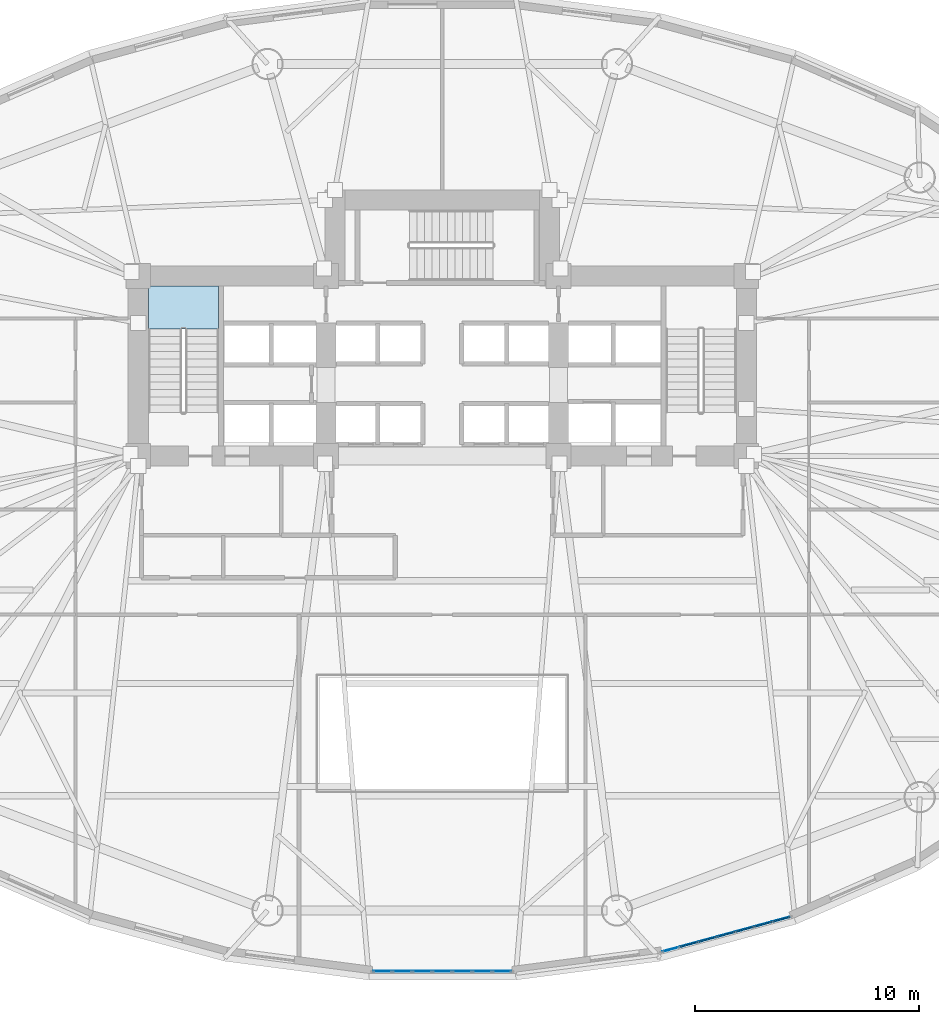
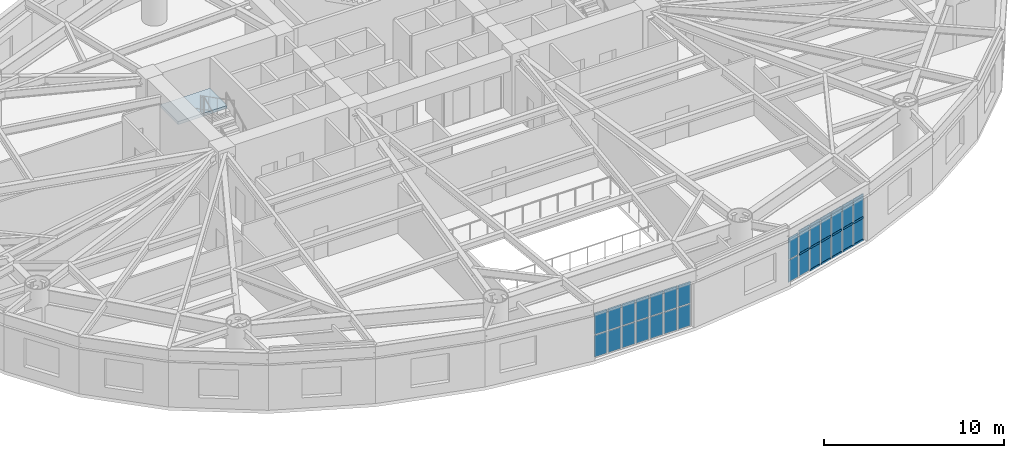
# One storey, part 7 of 19: 28 plates, 17 members, 1 slab, 3 elements without a shape of their own.
"""IFC4 building model written with IfcOpenShell, lengths in metres."""

from ifc_helpers import new_model, si_unit, direction, frame, origin, origin_2d, place, context, subcontext, project, spatial, polyline, rectangle, outline, extrude, material, layer, layer_set, material_profile, profile_set, type_object, element, aggregate, save


model = new_model("IFC4")

# Units and contexts
model_context = context("Model", 3, precision=1e-05, world=origin(), true_north=direction((0.0, 1.0)))
body_context = subcontext(model_context, "Body", "Model", "MODEL_VIEW")
ifc_project = project(units=[si_unit("LENGTHUNIT", "METRE"), si_unit("AREAUNIT", "SQUARE_METRE"), si_unit("VOLUMEUNIT", "CUBIC_METRE"), si_unit("PLANEANGLEUNIT", "RADIAN"), si_unit("MASSUNIT", "GRAM", prefix="KILO")], contexts=[model_context])

# Site, building, storey
site_placement = place(None, origin())
site = spatial("IfcSite", under=ifc_project, at=site_placement, CompositionType="ELEMENT")
building_placement = place(site_placement, origin())
building = spatial("IfcBuilding", under=site, at=building_placement, Name="Keldmark Tower", CompositionType="ELEMENT")
storey_placement = place(building_placement, frame((0.0, 0.0, 10.199951171875)))
storey = spatial("IfcBuildingStorey", under=building, at=storey_placement, Name="L02", CompositionType="ELEMENT", Elevation=10.199951171875)

# Curtain wall, members
ifc_material_1 = material(Name="Unitized Thermally Broken Aluminum and Triple Low-E Glazing", Category="aluminium")
ifc_layer_1 = layer(ifc_material_1, 0.219970703125)
ifc_layer_set_1 = layer_set([ifc_layer_1], Name="Unitized Thermally Broken Aluminum and Triple Low-E Glazing")
curtain_wall_type = type_object("IfcCurtainWallType", Name="Podium Wintergarden Curtain Wall System", PredefinedType="NOTDEFINED", material=ifc_layer_set_1)
curtain_wall_1_placement = place(storey_placement, origin())
curtain_wall_1 = element("IfcCurtainWall", 1, at=curtain_wall_1_placement, inside=storey, type_object=curtain_wall_type, Name="L02 Podium Wintergarden Curtain Wall System CW-L02-26", PredefinedType="NOTDEFINED")
ifc_material_2 = material(Name="Extruded Aluminum Alloy 6063-T6", Category="aluminium")
ifc_material_profile = material_profile(ifc_material_2, rectangle(XDim=0.06005859375, YDim=0.139892578125, at=origin_2d()), Name="CWT60X140")
ifc_profile_set = profile_set([ifc_material_profile], Name="Extruded Aluminum Alloy 6063-T6")
member_type = type_object("IfcMemberType", Name="Curtain Wall Horizontal Transom 60x140", PredefinedType="USERDEFINED", material=ifc_profile_set)
member_1_placement = place(storey_placement, frame((15.535888671875, -19.22314453125, 0.030029296875), z_axis=(-0.964946893051, -0.262445220171, 0.0), x_axis=(0.262445220171, -0.964946893051, 0.0)))
member_1 = element("IfcMember", 2, at=member_1_placement, type_object=member_type, Name="CW transom 1.1", ObjectType="TRANSOM", PredefinedType="USERDEFINED", context=body_context, shape_type="SweptSolid", body=[
    extrude(rectangle(XDim=0.06005859375, YDim=0.139892578125, at=origin_2d()), origin(), (0.0, 0.0, 1.0), 0.768310546875),
])
member_2_placement = place(storey_placement, frame((15.535888671875, -19.22314453125, 1.554443359375), z_axis=(-0.964946893051, -0.262445220171, 0.0), x_axis=(0.262445220171, -0.964946893051, 0.0)))
member_2 = element("IfcMember", 3, at=member_2_placement, type_object=member_type, Name="CW transom 1.2", ObjectType="TRANSOM", PredefinedType="USERDEFINED", context=body_context, shape_type="SweptSolid", body=[
    extrude(rectangle(XDim=0.06005859375, YDim=0.139892578125, at=origin_2d()), origin(), (0.0, 0.0, 1.0), 0.768310546875),
])
member_3_placement = place(storey_placement, frame((15.535888671875, -19.22314453125, 3.0791015625), z_axis=(-0.964946893051, -0.262445220171, 0.0), x_axis=(0.262445220171, -0.964946893051, 0.0)))
member_3 = element("IfcMember", 4, at=member_3_placement, type_object=member_type, Name="CW transom 1.3", ObjectType="TRANSOM", PredefinedType="USERDEFINED", context=body_context, shape_type="SweptSolid", body=[
    extrude(rectangle(XDim=0.06005859375, YDim=0.139892578125, at=origin_2d()), origin(), (0.0, 0.0, 1.0), 0.768310546875),
])
member_4_placement = place(storey_placement, frame((14.736572265625, -19.440673828125, 0.030029296875), z_axis=(-0.964954135758, -0.262418589059, 0.0), x_axis=(0.262418589059, -0.964954135758, 0.0)))
member_4 = element("IfcMember", 5, at=member_4_placement, type_object=member_type, Name="CW transom 2.1", ObjectType="TRANSOM", PredefinedType="USERDEFINED", context=body_context, shape_type="SweptSolid", body=[
    extrude(rectangle(XDim=0.06005859375, YDim=0.139892578125, at=origin_2d()), origin(), (0.0, 0.0, 1.0), 0.79833984375),
])
member_5_placement = place(storey_placement, frame((14.736572265625, -19.440673828125, 1.554443359375), z_axis=(-0.964954135758, -0.262418589059, 0.0), x_axis=(0.262418589059, -0.964954135758, 0.0)))
member_5 = element("IfcMember", 6, at=member_5_placement, type_object=member_type, Name="CW transom 2.2", ObjectType="TRANSOM", PredefinedType="USERDEFINED", context=body_context, shape_type="SweptSolid", body=[
    extrude(rectangle(XDim=0.06005859375, YDim=0.139892578125, at=origin_2d()), origin(), (0.0, 0.0, 1.0), 0.79833984375),
])
member_6_placement = place(storey_placement, frame((14.736572265625, -19.440673828125, 3.0791015625), z_axis=(-0.964954135758, -0.262418589059, 0.0), x_axis=(0.262418589059, -0.964954135758, 0.0)))
member_6 = element("IfcMember", 7, at=member_6_placement, type_object=member_type, Name="CW transom 2.3", ObjectType="TRANSOM", PredefinedType="USERDEFINED", context=body_context, shape_type="SweptSolid", body=[
    extrude(rectangle(XDim=0.06005859375, YDim=0.139892578125, at=origin_2d()), origin(), (0.0, 0.0, 1.0), 0.79833984375),
])
member_7_placement = place(storey_placement, frame((13.908447265625, -19.665771484375, 0.030029296875), z_axis=(-0.96487665225, -0.262703342086, 0.0), x_axis=(0.262703342086, -0.96487665225, 0.0)))
member_7 = element("IfcMember", 8, at=member_7_placement, type_object=member_type, Name="CW transom 3.1", ObjectType="TRANSOM", PredefinedType="USERDEFINED", context=body_context, shape_type="SweptSolid", body=[
    extrude(rectangle(XDim=0.06005859375, YDim=0.139892578125, at=origin_2d()), origin(), (0.0, 0.0, 1.0), 0.79833984375),
])
member_8_placement = place(storey_placement, frame((13.908447265625, -19.665771484375, 1.554443359375), z_axis=(-0.96487665225, -0.262703342086, 0.0), x_axis=(0.262703342086, -0.96487665225, 0.0)))
member_8 = element("IfcMember", 9, at=member_8_placement, type_object=member_type, Name="CW transom 3.2", ObjectType="TRANSOM", PredefinedType="USERDEFINED", context=body_context, shape_type="SweptSolid", body=[
    extrude(rectangle(XDim=0.06005859375, YDim=0.139892578125, at=origin_2d()), origin(), (0.0, 0.0, 1.0), 0.79833984375),
])
member_9_placement = place(storey_placement, frame((13.908447265625, -19.665771484375, 3.0791015625), z_axis=(-0.96487665225, -0.262703342086, 0.0), x_axis=(0.262703342086, -0.96487665225, 0.0)))
member_9 = element("IfcMember", 10, at=member_9_placement, type_object=member_type, Name="CW transom 3.3", ObjectType="TRANSOM", PredefinedType="USERDEFINED", context=body_context, shape_type="SweptSolid", body=[
    extrude(rectangle(XDim=0.06005859375, YDim=0.139892578125, at=origin_2d()), origin(), (0.0, 0.0, 1.0), 0.79833984375),
])
member_10_placement = place(storey_placement, frame((13.080322265625, -19.89111328125, 0.030029296875), z_axis=(-0.964954135758, -0.262418589059, 0.0), x_axis=(0.262418589059, -0.964954135758, 0.0)))
member_10 = element("IfcMember", 11, at=member_10_placement, type_object=member_type, Name="CW transom 4.1", ObjectType="TRANSOM", PredefinedType="USERDEFINED", context=body_context, shape_type="SweptSolid", body=[
    extrude(rectangle(XDim=0.06005859375, YDim=0.139892578125, at=origin_2d()), origin(), (0.0, 0.0, 1.0), 0.79833984375),
])
member_11_placement = place(storey_placement, frame((13.080322265625, -19.89111328125, 1.554443359375), z_axis=(-0.964954135758, -0.262418589059, 0.0), x_axis=(0.262418589059, -0.964954135758, 0.0)))
member_11 = element("IfcMember", 12, at=member_11_placement, type_object=member_type, Name="CW transom 4.2", ObjectType="TRANSOM", PredefinedType="USERDEFINED", context=body_context, shape_type="SweptSolid", body=[
    extrude(rectangle(XDim=0.06005859375, YDim=0.139892578125, at=origin_2d()), origin(), (0.0, 0.0, 1.0), 0.79833984375),
])
member_12_placement = place(storey_placement, frame((13.080322265625, -19.89111328125, 3.0791015625), z_axis=(-0.964954135758, -0.262418589059, 0.0), x_axis=(0.262418589059, -0.964954135758, 0.0)))
member_12 = element("IfcMember", 13, at=member_12_placement, type_object=member_type, Name="CW transom 4.3", ObjectType="TRANSOM", PredefinedType="USERDEFINED", context=body_context, shape_type="SweptSolid", body=[
    extrude(rectangle(XDim=0.06005859375, YDim=0.139892578125, at=origin_2d()), origin(), (0.0, 0.0, 1.0), 0.79833984375),
])
member_13_placement = place(storey_placement, frame((12.252197265625, -20.116455078125, 0.030029296875), z_axis=(-0.964954135758, -0.262418589059, 0.0), x_axis=(0.262418589059, -0.964954135758, 0.0)))
member_13 = element("IfcMember", 14, at=member_13_placement, type_object=member_type, Name="CW transom 5.1", ObjectType="TRANSOM", PredefinedType="USERDEFINED", context=body_context, shape_type="SweptSolid", body=[
    extrude(rectangle(XDim=0.06005859375, YDim=0.139892578125, at=origin_2d()), origin(), (0.0, 0.0, 1.0), 0.79833984375),
])
member_14_placement = place(storey_placement, frame((12.252197265625, -20.116455078125, 1.554443359375), z_axis=(-0.964954135758, -0.262418589059, 0.0), x_axis=(0.262418589059, -0.964954135758, 0.0)))
member_14 = element("IfcMember", 15, at=member_14_placement, type_object=member_type, Name="CW transom 5.2", ObjectType="TRANSOM", PredefinedType="USERDEFINED", context=body_context, shape_type="SweptSolid", body=[
    extrude(rectangle(XDim=0.06005859375, YDim=0.139892578125, at=origin_2d()), origin(), (0.0, 0.0, 1.0), 0.79833984375),
])
member_15_placement = place(storey_placement, frame((12.252197265625, -20.116455078125, 3.0791015625), z_axis=(-0.964954135758, -0.262418589059, 0.0), x_axis=(0.262418589059, -0.964954135758, 0.0)))
member_15 = element("IfcMember", 16, at=member_15_placement, type_object=member_type, Name="CW transom 5.3", ObjectType="TRANSOM", PredefinedType="USERDEFINED", context=body_context, shape_type="SweptSolid", body=[
    extrude(rectangle(XDim=0.06005859375, YDim=0.139892578125, at=origin_2d()), origin(), (0.0, 0.0, 1.0), 0.79833984375),
])
member_16_placement = place(storey_placement, frame((11.424072265625, -20.341796875, 1.554443359375), z_axis=(-0.964954135758, -0.262418589059, 0.0), x_axis=(0.262418589059, -0.964954135758, 0.0)))
member_16 = element("IfcMember", 17, at=member_16_placement, type_object=member_type, Name="CW transom 6.2", ObjectType="TRANSOM", PredefinedType="USERDEFINED", context=body_context, shape_type="SweptSolid", body=[
    extrude(rectangle(XDim=0.06005859375, YDim=0.139892578125, at=origin_2d()), origin(), (0.0, 0.0, 1.0), 0.79833984375),
])
member_17_placement = place(storey_placement, frame((11.424072265625, -20.341796875, 3.0791015625), z_axis=(-0.964954135758, -0.262418589059, 0.0), x_axis=(0.262418589059, -0.964954135758, 0.0)))
member_17 = element("IfcMember", 18, at=member_17_placement, type_object=member_type, Name="CW transom 6.3", ObjectType="TRANSOM", PredefinedType="USERDEFINED", context=body_context, shape_type="SweptSolid", body=[
    extrude(rectangle(XDim=0.06005859375, YDim=0.139892578125, at=origin_2d()), origin(), (0.0, 0.0, 1.0), 0.79833984375),
])

# Stair, slab
ifc_material_3 = material(Name="Concrete C40/50", Category="concrete")
stair_type = type_object("IfcStairType", Name="Precast Concrete Core Exit Stair", PredefinedType="HALF_TURN_STAIR", material=ifc_material_3)
stair_placement = place(storey_placement, origin())
stair = element("IfcStair", 19, at=stair_placement, inside=storey, type_object=stair_type, Name="L02 Exit Stair ST1", PredefinedType="HALF_TURN_STAIR")
ifc_material_4 = material(Name="Concrete C40/50", Category="concrete")
ifc_layer_2 = layer(ifc_material_4, 0.199951171875)
ifc_layer_set_2 = layer_set([ifc_layer_2], Name="Concrete C40/50")
slab_type = type_object("IfcSlabType", Name="Reinforced Concrete Stair Landing 200 mm", PredefinedType="LANDING", material=ifc_layer_set_2)
slab_placement = place(storey_placement, frame((0.0, 0.0, 1.900146484375)))
slab = element("IfcSlab", 20, at=slab_placement, type_object=slab_type, Name="ST1 landing 1", PredefinedType="LANDING", context=body_context, shape_type="SweptSolid", body=[
    extrude(outline(polyline([(-10.0, 7.070068359375), (-10.0, 9.0), (-13.14990234375, 9.0), (-13.14990234375, 7.070068359375), (-10.0, 7.070068359375)])), origin(), (0.0, 0.0, 1.0), 0.199951171875),
])
aggregate(stair, [slab])

# Curtain wall, plates
curtain_wall_2_placement = place(storey_placement, origin())
curtain_wall_2 = element("IfcCurtainWall", 21, at=curtain_wall_2_placement, inside=storey, type_object=curtain_wall_type, Name="L02 Podium Wintergarden Curtain Wall System CW-L02-24", PredefinedType="NOTDEFINED")
ifc_material_5 = material(Name="Triple Silver Low-E Insulated Glass Unit", Category="glass")
ifc_layer_3 = layer(ifc_material_5, 0.035888671875)
ifc_layer_set_3 = layer_set([ifc_layer_3], Name="Triple Silver Low-E Insulated Glass Unit")
plate_type = type_object("IfcPlateType", Name="Triple Low-E Vision Glazing Panel 36 mm", PredefinedType="CURTAIN_PANEL", material=ifc_layer_set_3)
plate_1_placement = place(storey_placement, frame((2.679443359375, -21.654052734375, 0.06005859375), z_axis=(0.0, 0.0, 1.0), x_axis=(-1.0, 0.0, 0.0)))
plate_1 = element("IfcPlate", 22, at=plate_1_placement, type_object=plate_type, Name="CW panel 1.1", PredefinedType="CURTAIN_PANEL", context=body_context, shape_type="SweptSolid", body=[
    extrude(rectangle(XDim=0.80810546875, YDim=0.035888671875, at=origin_2d()), origin(), (0.0, 0.0, 1.0), 1.464599609375),
])
plate_2_placement = place(storey_placement, frame((2.679443359375, -21.654052734375, 1.58447265625), z_axis=(0.0, 0.0, 1.0), x_axis=(-1.0, 0.0, 0.0)))
plate_2 = element("IfcPlate", 23, at=plate_2_placement, type_object=plate_type, Name="CW panel 1.2", PredefinedType="CURTAIN_PANEL", context=body_context, shape_type="SweptSolid", body=[
    extrude(rectangle(XDim=0.80810546875, YDim=0.035888671875, at=origin_2d()), origin(), (0.0, 0.0, 1.0), 1.464599609375),
])
plate_3_placement = place(storey_placement, frame((1.79638671875, -21.654052734375, 0.06005859375), z_axis=(0.0, 0.0, 1.0), x_axis=(-1.0, 0.0, 0.0)))
plate_3 = element("IfcPlate", 24, at=plate_3_placement, type_object=plate_type, Name="CW panel 2.1", PredefinedType="CURTAIN_PANEL", context=body_context, shape_type="SweptSolid", body=[
    extrude(rectangle(XDim=0.838134765625, YDim=0.035888671875, at=origin_2d()), origin(), (0.0, 0.0, 1.0), 1.464599609375),
])
plate_4_placement = place(storey_placement, frame((1.79638671875, -21.654052734375, 1.58447265625), z_axis=(0.0, 0.0, 1.0), x_axis=(-1.0, 0.0, 0.0)))
plate_4 = element("IfcPlate", 25, at=plate_4_placement, type_object=plate_type, Name="CW panel 2.2", PredefinedType="CURTAIN_PANEL", context=body_context, shape_type="SweptSolid", body=[
    extrude(rectangle(XDim=0.838134765625, YDim=0.035888671875, at=origin_2d()), origin(), (0.0, 0.0, 1.0), 1.464599609375),
])
plate_5_placement = place(storey_placement, frame((0.898193359375, -21.654052734375, 0.06005859375), z_axis=(0.0, 0.0, 1.0), x_axis=(-1.0, 0.0, 0.0)))
plate_5 = element("IfcPlate", 26, at=plate_5_placement, type_object=plate_type, Name="CW panel 3.1", PredefinedType="CURTAIN_PANEL", context=body_context, shape_type="SweptSolid", body=[
    extrude(rectangle(XDim=0.838134765625, YDim=0.035888671875, at=origin_2d()), origin(), (0.0, 0.0, 1.0), 1.464599609375),
])
plate_6_placement = place(storey_placement, frame((0.898193359375, -21.654052734375, 1.58447265625), z_axis=(0.0, 0.0, 1.0), x_axis=(-1.0, 0.0, 0.0)))
plate_6 = element("IfcPlate", 27, at=plate_6_placement, type_object=plate_type, Name="CW panel 3.2", PredefinedType="CURTAIN_PANEL", context=body_context, shape_type="SweptSolid", body=[
    extrude(rectangle(XDim=0.838134765625, YDim=0.035888671875, at=origin_2d()), origin(), (0.0, 0.0, 1.0), 1.464599609375),
])
plate_7_placement = place(storey_placement, frame((0.0, -21.654052734375, 0.06005859375), z_axis=(0.0, 0.0, 1.0), x_axis=(-1.0, 0.0, 0.0)))
plate_7 = element("IfcPlate", 28, at=plate_7_placement, type_object=plate_type, Name="CW panel 4.1", PredefinedType="CURTAIN_PANEL", context=body_context, shape_type="SweptSolid", body=[
    extrude(rectangle(XDim=0.838134765625, YDim=0.035888671875, at=origin_2d()), origin(), (0.0, 0.0, 1.0), 1.464599609375),
])
plate_8_placement = place(storey_placement, frame((0.0, -21.654052734375, 1.58447265625), z_axis=(0.0, 0.0, 1.0), x_axis=(-1.0, 0.0, 0.0)))
plate_8 = element("IfcPlate", 29, at=plate_8_placement, type_object=plate_type, Name="CW panel 4.2", PredefinedType="CURTAIN_PANEL", context=body_context, shape_type="SweptSolid", body=[
    extrude(rectangle(XDim=0.838134765625, YDim=0.035888671875, at=origin_2d()), origin(), (0.0, 0.0, 1.0), 1.464599609375),
])
plate_9_placement = place(storey_placement, frame((-0.898193359375, -21.654052734375, 0.06005859375), z_axis=(0.0, 0.0, 1.0), x_axis=(-1.0, 0.0, 0.0)))
plate_9 = element("IfcPlate", 30, at=plate_9_placement, type_object=plate_type, Name="CW panel 5.1", PredefinedType="CURTAIN_PANEL", context=body_context, shape_type="SweptSolid", body=[
    extrude(rectangle(XDim=0.838134765625, YDim=0.035888671875, at=origin_2d()), origin(), (0.0, 0.0, 1.0), 1.464599609375),
])
plate_10_placement = place(storey_placement, frame((-0.898193359375, -21.654052734375, 1.58447265625), z_axis=(0.0, 0.0, 1.0), x_axis=(-1.0, 0.0, 0.0)))
plate_10 = element("IfcPlate", 31, at=plate_10_placement, type_object=plate_type, Name="CW panel 5.2", PredefinedType="CURTAIN_PANEL", context=body_context, shape_type="SweptSolid", body=[
    extrude(rectangle(XDim=0.838134765625, YDim=0.035888671875, at=origin_2d()), origin(), (0.0, 0.0, 1.0), 1.464599609375),
])
plate_11_placement = place(storey_placement, frame((-1.79638671875, -21.654052734375, 0.06005859375), z_axis=(0.0, 0.0, 1.0), x_axis=(-1.0, 0.0, 0.0)))
plate_11 = element("IfcPlate", 32, at=plate_11_placement, type_object=plate_type, Name="CW panel 6.1", PredefinedType="CURTAIN_PANEL", context=body_context, shape_type="SweptSolid", body=[
    extrude(rectangle(XDim=0.838134765625, YDim=0.035888671875, at=origin_2d()), origin(), (0.0, 0.0, 1.0), 1.464599609375),
])
plate_12_placement = place(storey_placement, frame((-1.79638671875, -21.654052734375, 1.58447265625), z_axis=(0.0, 0.0, 1.0), x_axis=(-1.0, 0.0, 0.0)))
plate_12 = element("IfcPlate", 33, at=plate_12_placement, type_object=plate_type, Name="CW panel 6.2", PredefinedType="CURTAIN_PANEL", context=body_context, shape_type="SweptSolid", body=[
    extrude(rectangle(XDim=0.838134765625, YDim=0.035888671875, at=origin_2d()), origin(), (0.0, 0.0, 1.0), 1.464599609375),
])
plate_13_placement = place(storey_placement, frame((-2.679443359375, -21.654052734375, 0.06005859375), z_axis=(0.0, 0.0, 1.0), x_axis=(-1.0, 0.0, 0.0)))
plate_13 = element("IfcPlate", 34, at=plate_13_placement, type_object=plate_type, Name="CW panel 7.1", PredefinedType="CURTAIN_PANEL", context=body_context, shape_type="SweptSolid", body=[
    extrude(rectangle(XDim=0.80810546875, YDim=0.035888671875, at=origin_2d()), origin(), (0.0, 0.0, 1.0), 1.464599609375),
])
plate_14_placement = place(storey_placement, frame((-2.679443359375, -21.654052734375, 1.58447265625), z_axis=(0.0, 0.0, 1.0), x_axis=(-1.0, 0.0, 0.0)))
plate_14 = element("IfcPlate", 35, at=plate_14_placement, type_object=plate_type, Name="CW panel 7.2", PredefinedType="CURTAIN_PANEL", context=body_context, shape_type="SweptSolid", body=[
    extrude(rectangle(XDim=0.80810546875, YDim=0.035888671875, at=origin_2d()), origin(), (0.0, 0.0, 1.0), 1.464599609375),
])
aggregate(curtain_wall_2, [plate_1, plate_2, plate_3, plate_4, plate_5, plate_6, plate_7, plate_8, plate_9, plate_10, plate_11, plate_12, plate_13, plate_14])

# Plate
plate_15_placement = place(storey_placement, frame((15.1650390625, -19.323974609375, 0.06005859375), z_axis=(0.0, 0.0, 1.0), x_axis=(-0.964933783738, -0.262493415157, 0.0)))
plate_15 = element("IfcPlate", 36, at=plate_15_placement, type_object=plate_type, Name="CW panel 1.1", PredefinedType="CURTAIN_PANEL", context=body_context, shape_type="SweptSolid", body=[
    extrude(rectangle(XDim=0.768310546875, YDim=0.035888671875, at=origin_2d()), origin(), (0.0, 0.0, 1.0), 1.464599609375),
])

plate_16_placement = place(storey_placement, frame((15.1650390625, -19.323974609375, 1.58447265625), z_axis=(0.0, 0.0, 1.0), x_axis=(-0.964933783738, -0.262493415157, 0.0)))
plate_16 = element("IfcPlate", 37, at=plate_16_placement, type_object=plate_type, Name="CW panel 1.2", PredefinedType="CURTAIN_PANEL", context=body_context, shape_type="SweptSolid", body=[
    extrude(rectangle(XDim=0.768310546875, YDim=0.035888671875, at=origin_2d()), origin(), (0.0, 0.0, 1.0), 1.464599609375),
])

plate_17_placement = place(storey_placement, frame((14.3515625, -19.54541015625, 0.06005859375), z_axis=(0.0, 0.0, 1.0), x_axis=(-0.964933783738, -0.262493415157, 0.0)))
plate_17 = element("IfcPlate", 38, at=plate_17_placement, type_object=plate_type, Name="CW panel 2.1", PredefinedType="CURTAIN_PANEL", context=body_context, shape_type="SweptSolid", body=[
    extrude(rectangle(XDim=0.79833984375, YDim=0.035888671875, at=origin_2d()), origin(), (0.0, 0.0, 1.0), 1.464599609375),
])

plate_18_placement = place(storey_placement, frame((14.3515625, -19.54541015625, 1.58447265625), z_axis=(0.0, 0.0, 1.0), x_axis=(-0.964933783738, -0.262493415157, 0.0)))
plate_18 = element("IfcPlate", 39, at=plate_18_placement, type_object=plate_type, Name="CW panel 2.2", PredefinedType="CURTAIN_PANEL", context=body_context, shape_type="SweptSolid", body=[
    extrude(rectangle(XDim=0.79833984375, YDim=0.035888671875, at=origin_2d()), origin(), (0.0, 0.0, 1.0), 1.464599609375),
])

plate_19_placement = place(storey_placement, frame((13.523193359375, -19.7705078125, 0.06005859375), z_axis=(0.0, 0.0, 1.0), x_axis=(-0.964933783738, -0.262493415157, 0.0)))
plate_19 = element("IfcPlate", 40, at=plate_19_placement, type_object=plate_type, Name="CW panel 3.1", PredefinedType="CURTAIN_PANEL", context=body_context, shape_type="SweptSolid", body=[
    extrude(rectangle(XDim=0.79833984375, YDim=0.035888671875, at=origin_2d()), origin(), (0.0, 0.0, 1.0), 1.464599609375),
])

plate_20_placement = place(storey_placement, frame((13.523193359375, -19.7705078125, 1.58447265625), z_axis=(0.0, 0.0, 1.0), x_axis=(-0.964933783738, -0.262493415157, 0.0)))
plate_20 = element("IfcPlate", 41, at=plate_20_placement, type_object=plate_type, Name="CW panel 3.2", PredefinedType="CURTAIN_PANEL", context=body_context, shape_type="SweptSolid", body=[
    extrude(rectangle(XDim=0.79833984375, YDim=0.035888671875, at=origin_2d()), origin(), (0.0, 0.0, 1.0), 1.464599609375),
])

plate_21_placement = place(storey_placement, frame((12.695068359375, -19.995849609375, 0.06005859375), z_axis=(0.0, 0.0, 1.0), x_axis=(-0.964933783738, -0.262493415157, 0.0)))
plate_21 = element("IfcPlate", 42, at=plate_21_placement, type_object=plate_type, Name="CW panel 4.1", PredefinedType="CURTAIN_PANEL", context=body_context, shape_type="SweptSolid", body=[
    extrude(rectangle(XDim=0.79833984375, YDim=0.035888671875, at=origin_2d()), origin(), (0.0, 0.0, 1.0), 1.464599609375),
])

plate_22_placement = place(storey_placement, frame((12.695068359375, -19.995849609375, 1.58447265625), z_axis=(0.0, 0.0, 1.0), x_axis=(-0.964933783738, -0.262493415157, 0.0)))
plate_22 = element("IfcPlate", 43, at=plate_22_placement, type_object=plate_type, Name="CW panel 4.2", PredefinedType="CURTAIN_PANEL", context=body_context, shape_type="SweptSolid", body=[
    extrude(rectangle(XDim=0.79833984375, YDim=0.035888671875, at=origin_2d()), origin(), (0.0, 0.0, 1.0), 1.464599609375),
])

plate_23_placement = place(storey_placement, frame((11.866943359375, -20.22119140625, 0.06005859375), z_axis=(0.0, 0.0, 1.0), x_axis=(-0.964933783738, -0.262493415157, 0.0)))
plate_23 = element("IfcPlate", 44, at=plate_23_placement, type_object=plate_type, Name="CW panel 5.1", PredefinedType="CURTAIN_PANEL", context=body_context, shape_type="SweptSolid", body=[
    extrude(rectangle(XDim=0.79833984375, YDim=0.035888671875, at=origin_2d()), origin(), (0.0, 0.0, 1.0), 1.464599609375),
])

plate_24_placement = place(storey_placement, frame((11.866943359375, -20.22119140625, 1.58447265625), z_axis=(0.0, 0.0, 1.0), x_axis=(-0.964933783738, -0.262493415157, 0.0)))
plate_24 = element("IfcPlate", 45, at=plate_24_placement, type_object=plate_type, Name="CW panel 5.2", PredefinedType="CURTAIN_PANEL", context=body_context, shape_type="SweptSolid", body=[
    extrude(rectangle(XDim=0.79833984375, YDim=0.035888671875, at=origin_2d()), origin(), (0.0, 0.0, 1.0), 1.464599609375),
])

plate_25_placement = place(storey_placement, frame((11.038818359375, -20.446533203125, 0.06005859375), z_axis=(0.0, 0.0, 1.0), x_axis=(-0.964933783738, -0.262493415157, 0.0)))
plate_25 = element("IfcPlate", 46, at=plate_25_placement, type_object=plate_type, Name="CW panel 6.1", PredefinedType="CURTAIN_PANEL", context=body_context, shape_type="SweptSolid", body=[
    extrude(rectangle(XDim=0.79833984375, YDim=0.035888671875, at=origin_2d()), origin(), (0.0, 0.0, 1.0), 1.464599609375),
])

plate_26_placement = place(storey_placement, frame((11.038818359375, -20.446533203125, 1.58447265625), z_axis=(0.0, 0.0, 1.0), x_axis=(-0.964933783738, -0.262493415157, 0.0)))
plate_26 = element("IfcPlate", 47, at=plate_26_placement, type_object=plate_type, Name="CW panel 6.2", PredefinedType="CURTAIN_PANEL", context=body_context, shape_type="SweptSolid", body=[
    extrude(rectangle(XDim=0.79833984375, YDim=0.035888671875, at=origin_2d()), origin(), (0.0, 0.0, 1.0), 1.464599609375),
])

plate_27_placement = place(storey_placement, frame((10.22509765625, -20.667724609375, 0.06005859375), z_axis=(0.0, 0.0, 1.0), x_axis=(-0.964933783738, -0.262493415157, 0.0)))
plate_27 = element("IfcPlate", 48, at=plate_27_placement, type_object=plate_type, Name="CW panel 7.1", PredefinedType="CURTAIN_PANEL", context=body_context, shape_type="SweptSolid", body=[
    extrude(rectangle(XDim=0.768310546875, YDim=0.035888671875, at=origin_2d()), origin(), (0.0, 0.0, 1.0), 1.464599609375),
])

plate_28_placement = place(storey_placement, frame((10.22509765625, -20.667724609375, 1.58447265625), z_axis=(0.0, 0.0, 1.0), x_axis=(-0.964933783738, -0.262493415157, 0.0)))
plate_28 = element("IfcPlate", 49, at=plate_28_placement, type_object=plate_type, Name="CW panel 7.2", PredefinedType="CURTAIN_PANEL", context=body_context, shape_type="SweptSolid", body=[
    extrude(rectangle(XDim=0.768310546875, YDim=0.035888671875, at=origin_2d()), origin(), (0.0, 0.0, 1.0), 1.464599609375),
])

aggregate(curtain_wall_1, [member_1, member_2, member_3, plate_15, plate_16, member_4, member_5, member_6, plate_17, plate_18, member_7, member_8, member_9, plate_19, plate_20, member_10, member_11, member_12, plate_21, plate_22, member_13, member_14, member_15, plate_23, plate_24, member_16, member_17, plate_25, plate_26, plate_27, plate_28])

save(model, "model.ifc")
